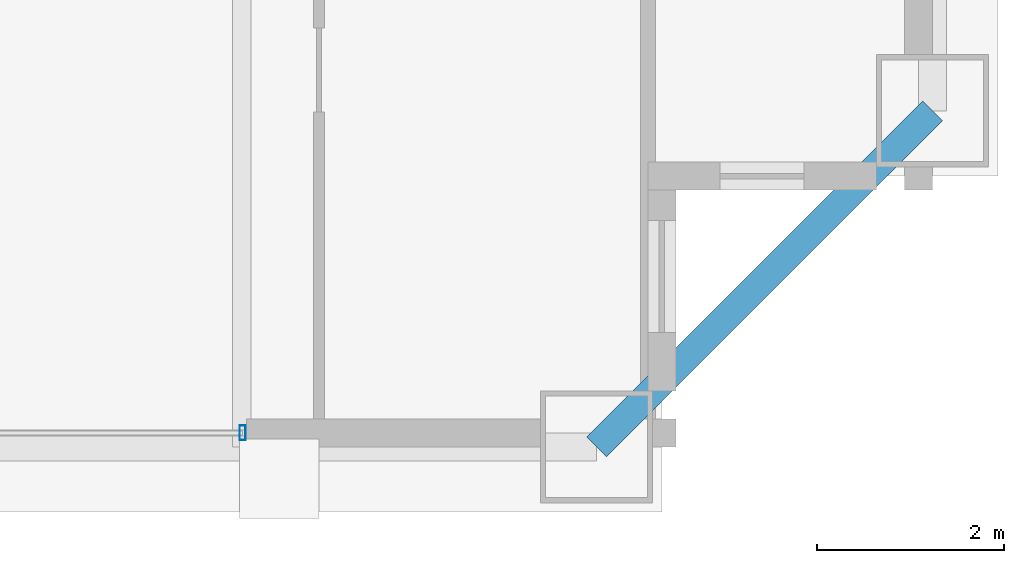
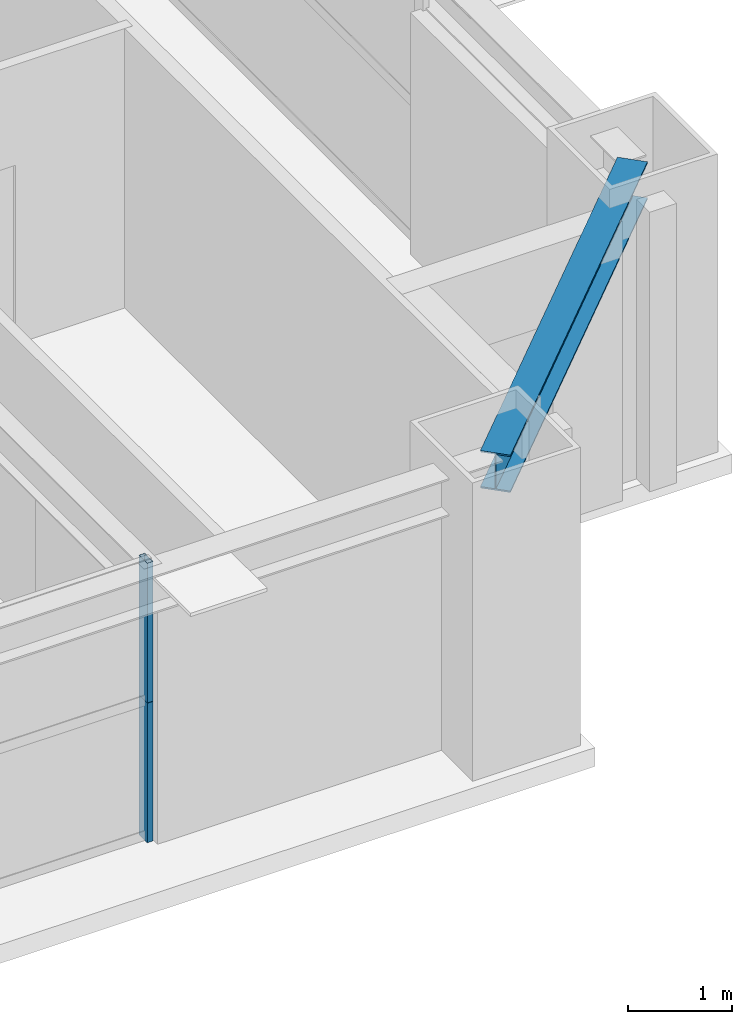
# One storey, part 15 of 37: 2 members, 1 beam, 1 element without a shape of its own.
"""IFC4 building model written with IfcOpenShell, lengths in metres."""

from ifc_helpers import new_model, si_unit, direction, frame, origin, origin_2d, place, context, subcontext, project, spatial, hollow_rectangle, i_section, extrude, source, transform, mapped, material, layer, layer_set, material_profile, profile_set, type_object, element, aggregate, save


model = new_model("IFC4")

# Units and contexts
model_context = context("Model", 3, precision=1e-05, world=origin(), true_north=direction((0.0, 1.0)))
body_context = subcontext(model_context, "Body", "Model", "MODEL_VIEW")
ifc_project = project(units=[si_unit("LENGTHUNIT", "METRE"), si_unit("AREAUNIT", "SQUARE_METRE"), si_unit("VOLUMEUNIT", "CUBIC_METRE"), si_unit("PLANEANGLEUNIT", "RADIAN"), si_unit("MASSUNIT", "GRAM", prefix="KILO"), si_unit("THERMODYNAMICTEMPERATUREUNIT", "KELVIN"), si_unit("POWERUNIT", "WATT")], contexts=[model_context])

# Site, building, storey
site_placement = place(None, origin())
site = spatial("IfcSite", under=ifc_project, at=site_placement, CompositionType="ELEMENT")
building_placement = place(site_placement, origin())
building = spatial("IfcBuilding", under=site, at=building_placement, Name="Yuzanri Waterfront Tower", CompositionType="ELEMENT")
storey_placement = place(building_placement, frame((0.0, 0.0, 245.10009765625)))
storey = spatial("IfcBuildingStorey", under=building, at=storey_placement, Name="L65", CompositionType="ELEMENT", Elevation=245.10009765625)

# Beam
ifc_material_1 = material(Name="Steel Q355B", Category="steel")
ifc_material_profile_1 = material_profile(ifc_material_1, i_section(OverallWidth=0.300048828125, OverallDepth=0.43994140625, WebThickness=0.010986328125, FlangeThickness=0.01806640625, at=origin_2d()), Name="HM 440x300x11x18")
ifc_profile_set_1 = profile_set([ifc_material_profile_1], Name="Steel Q355B")
beam_type = type_object("IfcBeamType", Name="Perimeter Spandrel Q355B HM 440x300", PredefinedType="SPANDREL", material=ifc_profile_set_1)
shared_shape_1 = source(origin(), body_context, "Body", "SweptSolid", [
    extrude(i_section(OverallWidth=0.300048828125, OverallDepth=0.43994140625, WebThickness=0.010986328125, FlangeThickness=0.01806640625, at=origin_2d()), origin(), (0.0, 0.0, 1.0), 5.09130859375),
])
beam_placement = place(storey_placement, frame((54.0, 5.199951171875, 3.059814453125), z_axis=(0.707106781187, 0.707106781187, 0.0), x_axis=(-0.707106781187, 0.707106781187, 0.0)))
element("IfcBeam", 1, at=beam_placement, inside=storey, type_object=beam_type, Name="L65 Perimeter Spandrel S3-E1", PredefinedType="SPANDREL", context=body_context, shape_type="MappedRepresentation", body=[
    mapped(shared_shape_1, transform((0.0, 0.0, 0.0), scale=1.0)),
])

# Curtain wall, members
ifc_material_2 = material(Name="Anodized Architectural Bronze", Category="metal")
ifc_layer = layer(ifc_material_2, 0.159912109375)
ifc_layer_set = layer_set([ifc_layer], Name="Anodized Architectural Bronze")
curtain_wall_type = type_object("IfcCurtainWallType", Name="Anodized Bronze Mid-Rise Residential Acoustic Unitized Curtain Wall 7200", PredefinedType="NOTDEFINED", material=ifc_layer_set)
curtain_wall_placement = place(storey_placement, origin())
curtain_wall = element("IfcCurtainWall", 2, at=curtain_wall_placement, inside=storey, type_object=curtain_wall_type, Name="L65 Curtain Wall CW-L65-SR", PredefinedType="NOTDEFINED")
ifc_material_3 = material(Name="Anodized Architectural Bronze", Category="metal")
ifc_material_profile_2 = material_profile(ifc_material_3, hollow_rectangle(XDim=0.06494140625, YDim=0.159912109375, WallThickness=0.00341796875, at=origin_2d()), Name="CWM 65x160")
ifc_profile_set_2 = profile_set([ifc_material_profile_2], Name="Anodized Architectural Bronze")
member_type = type_object("IfcMemberType", Name="Anodized Bronze Upper-Zone Curtain-Wall Mullion 65x160", PredefinedType="MULLION", material=ifc_profile_set_2)
shared_shape_2 = source(origin(), body_context, "Body", "SweptSolid", [
    extrude(hollow_rectangle(XDim=0.06494140625, YDim=0.159912109375, WallThickness=0.00341796875, at=origin_2d()), origin(), (0.0, 0.0, 1.0), 1.637939453125),
])
member_1_placement = place(storey_placement, frame((50.2099609375, 5.35009765625, 0.0), z_axis=(0.0, 0.0, 1.0), x_axis=(1.0, 0.0, 0.0)))
member_1 = element("IfcMember", 3, at=member_1_placement, type_object=member_type, Name="CW-L65-SR Lower Mullion 02", PredefinedType="MULLION", context=body_context, shape_type="MappedRepresentation", body=[
    mapped(shared_shape_2, transform((0.0, 0.0, 0.0), scale=1.0)),
])
member_2_placement = place(storey_placement, frame((50.2099609375, 5.35009765625, 1.641845703125), z_axis=(0.0, 0.0, 1.0), x_axis=(1.0, 0.0, 0.0)))
member_2 = element("IfcMember", 4, at=member_2_placement, type_object=member_type, Name="CW-L65-SR Upper Mullion 02", PredefinedType="MULLION", context=body_context, shape_type="MappedRepresentation", body=[
    mapped(shared_shape_2, transform((0.0, 0.0, 0.0), scale=1.0)),
])
aggregate(curtain_wall, [member_1, member_2])

save(model, "model.ifc")
